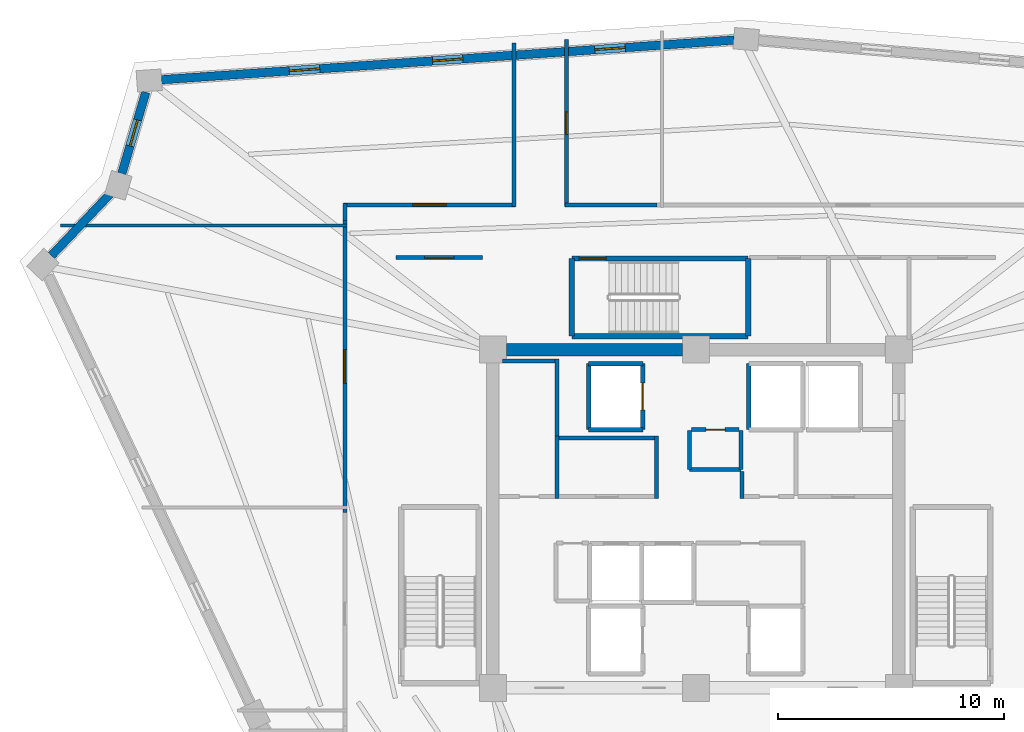
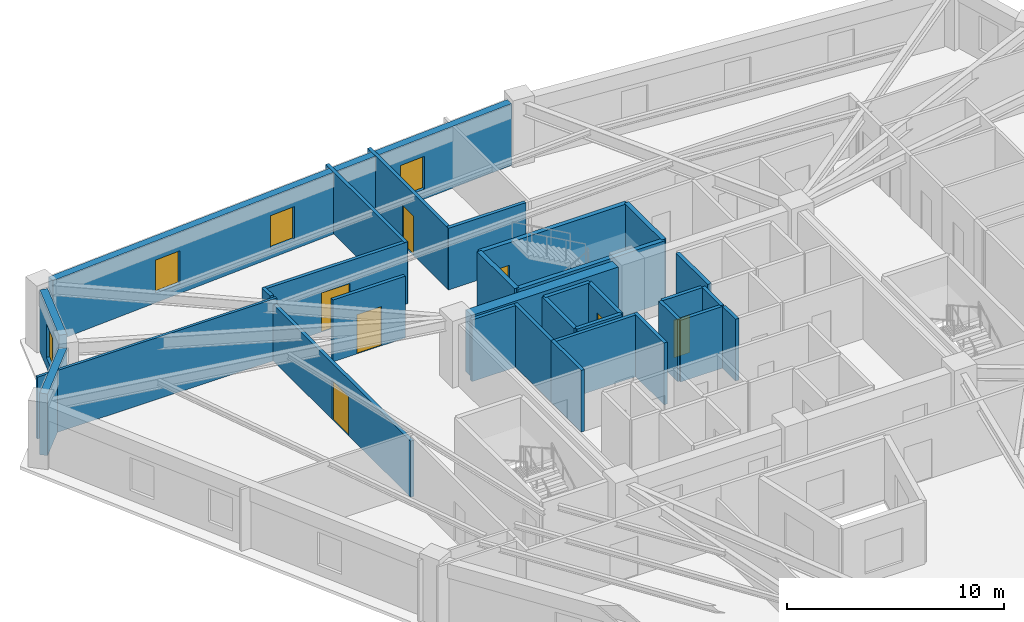
# One storey, part 5 of 8: 31 walls, 7 doors, 4 windows, 11 openings.
"""IFC4 building model written with IfcOpenShell, lengths in metres."""

import ifcopenshell
import ifcopenshell.guid

model = None  # the IFC model being written
_history = None  # IfcOwnerHistory: only IFC2X3 demands one
_inside = {}  # id of a spatial element -> (the spatial element, [elements in it])
_under = {}  # id of a project, library or spatial element -> (it, [spatial elements below it])
_declared = {}  # id of a project -> (the project, [libraries it declares])
_typed = {}  # id of a type object -> (the type object, [elements of that type])
_made_of = {}  # id of a material, layer set ... -> (it, [elements and type objects made of it])


def new_model(schema):
    """Start an empty IFC model of exactly this schema.

    Asked for "IFC4X3", IfcOpenShell would pick the latest addendum, in which some entities
    have other attributes; the version numbers below select the first issue.
    IFC2X3 requires an IfcOwnerHistory on every rooted entity: one is made here for all.
    """
    global model, _history
    if schema == "IFC4X3":
        model = ifcopenshell.file(schema_version=(4, 3, 0, 0))
    else:
        model = ifcopenshell.file(schema=schema)
    _inside.clear()
    _under.clear()
    _declared.clear()
    _typed.clear()
    _made_of.clear()
    _history = None
    if model.schema == "IFC2X3":
        org = make("IfcOrganization", Name="unknown")
        user = make(
            "IfcPersonAndOrganization",
            ThePerson=make("IfcPerson", FamilyName="unknown"),
            TheOrganization=org,
        )
        app = make(
            "IfcApplication",
            ApplicationDeveloper=org,
            Version="unknown",
            ApplicationFullName="unknown",
            ApplicationIdentifier="unknown",
        )
        _history = make(
            "IfcOwnerHistory",
            OwningUser=user,
            OwningApplication=app,
            ChangeAction="ADDED",
            CreationDate=0,
        )
    return model


def make(cls, **values):
    """One entity of the class cls with the attributes given. An attribute that is None is left unset."""
    return model.create_entity(
        cls, **{name: value for name, value in values.items() if value is not None}
    )


def rooted(cls, **values):
    """An entity with a GlobalId (a new one), such as an element, a storey or a relation."""
    return make(cls, GlobalId=ifcopenshell.guid.new(), OwnerHistory=_history, **values)


def si_unit(unit_type, name, prefix=None):
    """IfcSIUnit, for example si_unit("LENGTHUNIT", "METRE", prefix="MILLI")."""
    return make("IfcSIUnit", UnitType=unit_type, Prefix=prefix, Name=name)


def assignment(units):
    """IfcUnitAssignment: the units of a project."""
    return None if units is None else make("IfcUnitAssignment", Units=units)


def point(xyz):
    """IfcCartesianPoint."""
    return None if xyz is None else make("IfcCartesianPoint", Coordinates=xyz)


def direction(xyz):
    """IfcDirection."""
    return None if xyz is None else make("IfcDirection", DirectionRatios=xyz)


def frame(location, z_axis=None, x_axis=None):
    """IfcAxis2Placement3D, a coordinate frame: its origin and axes. An axis left out is left unset."""
    return make(
        "IfcAxis2Placement3D",
        Location=point(location),
        Axis=direction(z_axis),
        RefDirection=direction(x_axis),
    )


def frame_2d(location, x_axis=None):
    """IfcAxis2Placement2D, a coordinate frame in the plane: its origin and x axis."""
    return make(
        "IfcAxis2Placement2D", Location=point(location), RefDirection=direction(x_axis)
    )


def origin():
    """The frame at (0, 0, 0) with its axes left unset."""
    return frame((0.0, 0.0, 0.0))


def place(relative_to, where):
    """IfcLocalPlacement: puts the frame where relative to a parent placement (None: the world)."""
    return make(
        "IfcLocalPlacement", PlacementRelTo=relative_to, RelativePlacement=where
    )


def context(
    kind, dimensions, precision=None, world=None, true_north=None, identifier=None
):
    """IfcGeometricRepresentationContext, for example the 3D "Model" context."""
    return make(
        "IfcGeometricRepresentationContext",
        ContextIdentifier=identifier,
        ContextType=kind,
        CoordinateSpaceDimension=dimensions,
        Precision=precision,
        WorldCoordinateSystem=world,
        TrueNorth=true_north,
    )


def subcontext(parent, identifier, kind, view, scale=None):
    """IfcGeometricRepresentationSubContext, for example "Body" below "Model"."""
    return make(
        "IfcGeometricRepresentationSubContext",
        ContextIdentifier=identifier,
        ContextType=kind,
        ParentContext=parent,
        TargetScale=scale,
        TargetView=view,
    )


def project(units=None, contexts=None):
    """IfcProject with its units and contexts."""
    return rooted(
        "IfcProject",
        Name="project",
        RepresentationContexts=contexts,
        UnitsInContext=assignment(units),
    )


def spatial(cls, under=None, at=None, **own):
    """A site, building, storey or space (cls), placed at a placement, below another one or the project."""
    s = rooted(cls, ObjectPlacement=at, **own)
    if under is not None:
        _under.setdefault(under.id(), (under, []))[1].append(s)
    return s


def profile(cls, at=None, kind="AREA", **sizes):
    """A parametric profile (cls). Its sizes go by their IFC names, for example OverallWidth=200.0."""
    return make(cls, ProfileType=kind, Position=at, **sizes)


def rectangle(**sizes):
    """IfcRectangleProfileDef."""
    return profile("IfcRectangleProfileDef", **sizes)


def extrude(swept, where, along, depth):
    """IfcExtrudedAreaSolid: the profile swept, set in the frame where, extruded along a direction by depth."""
    return make(
        "IfcExtrudedAreaSolid",
        SweptArea=swept,
        Position=where,
        ExtrudedDirection=direction(along),
        Depth=depth,
    )


def shape(context_of_items, identifier, shape_type, items):
    """IfcShapeRepresentation: the items that make up one representation, for example the "Body"."""
    return make(
        "IfcShapeRepresentation",
        ContextOfItems=context_of_items,
        RepresentationIdentifier=identifier,
        RepresentationType=shape_type,
        Items=items,
    )


def source(mapping_origin, context_of_items, identifier, shape_type, items):
    """IfcRepresentationMap: a shape defined once, which mapped items show again and again."""
    return make(
        "IfcRepresentationMap",
        MappingOrigin=mapping_origin,
        MappedRepresentation=shape(context_of_items, identifier, shape_type, items),
    )


def transform(
    local_origin,
    x_axis=None,
    y_axis=None,
    z_axis=None,
    scale=None,
    scale2=None,
    scale3=None,
    uniform=True,
):
    """IfcCartesianTransformationOperator3D, or its non-uniform kind. x_axis, y_axis, z_axis: its Axis1, 2, 3."""
    if uniform:
        return make(
            "IfcCartesianTransformationOperator3D",
            Axis1=direction(x_axis),
            Axis2=direction(y_axis),
            LocalOrigin=point(local_origin),
            Scale=scale,
            Axis3=direction(z_axis),
        )
    return make(
        "IfcCartesianTransformationOperator3DnonUniform",
        Axis1=direction(x_axis),
        Axis2=direction(y_axis),
        LocalOrigin=point(local_origin),
        Scale=scale,
        Axis3=direction(z_axis),
        Scale2=scale2,
        Scale3=scale3,
    )


def mapped(mapping_source, mapping_target):
    """IfcMappedItem: shows the shape of a source again, moved by a transform."""
    return make(
        "IfcMappedItem", MappingSource=mapping_source, MappingTarget=mapping_target
    )


def material(Name=None, Category=None):
    """IfcMaterial."""
    return make("IfcMaterial", Name=Name, Category=Category)


def layer(
    of_material, thickness, ventilated=None, Name=None, Category=None, Priority=None
):
    """IfcMaterialLayer: one layer of a wall or slab, of a material (None: an air gap)."""
    return make(
        "IfcMaterialLayer",
        Material=of_material,
        LayerThickness=thickness,
        IsVentilated=ventilated,
        Name=Name,
        Category=Category,
        Priority=Priority,
    )


def layer_set(layers, Name=None):
    """IfcMaterialLayerSet."""
    return make("IfcMaterialLayerSet", MaterialLayers=layers, LayerSetName=Name)


def made_of(thing, what):
    """Note that an element or type object is made of a material, layer set ...; save() writes the relation."""
    if what is not None:
        _made_of.setdefault(what.id(), (what, []))[1].append(thing)
    return thing


def type_object(cls, material=None, **own):
    """A type object (cls), such as IfcWallType, which elements share."""
    return made_of(rooted(cls, **own), material)


def element(
    cls,
    number,
    at=None,
    inside=None,
    cuts=None,
    type_object=None,
    material=None,
    context=None,
    identifier="Body",
    shape_type=None,
    held_by="IfcProductDefinitionShape",
    body=None,
    shapes=None,
    **own,
):
    """One element of the class cls, such as IfcWall. Its Tag is "e" and its number.

    at: its placement. inside: the storey or other place that contains it. cuts: it is an
    opening in that element (IfcRelVoidsElement). A single representation is given by context,
    identifier, shape_type and body (its items); several are given by shapes. held_by: the class
    of the entity that holds the representations. save() writes the other relations.
    """
    e = rooted(cls, Tag="e%d" % number, ObjectPlacement=at, **own)
    if body is not None:
        shapes = [shape(context, identifier, shape_type, body)]
    if shapes is not None:
        e.Representation = make(held_by, Representations=shapes)
    if inside is not None:
        _inside.setdefault(inside.id(), (inside, []))[1].append(e)
    if cuts is not None:
        rooted(
            "IfcRelVoidsElement", RelatingBuildingElement=cuts, RelatedOpeningElement=e
        )
    if type_object is not None:
        _typed.setdefault(type_object.id(), (type_object, []))[1].append(e)
    return made_of(e, material)


def fill(opening, filler):
    """IfcRelFillsElement: the door or window that sits in an opening."""
    return rooted(
        "IfcRelFillsElement",
        RelatingOpeningElement=opening,
        RelatedBuildingElement=filler,
    )


def aggregate(whole, parts):
    """IfcRelAggregates: a whole, such as a stair, and the parts it consists of."""
    return rooted("IfcRelAggregates", RelatingObject=whole, RelatedObjects=parts)


def save(model, path):
    """Write the relations noted so far, then the file.

    IfcRelAggregates (storeys below a building ...), IfcRelContainedInSpatialStructure (elements
    in a storey), IfcRelDefinesByType, IfcRelAssociatesMaterial and IfcRelDeclares: one each for
    every whole, place, type object, material and project.
    """
    for whole, parts in _under.values():
        aggregate(whole, parts)
    for where, things in _inside.values():
        rooted(
            "IfcRelContainedInSpatialStructure",
            RelatedElements=things,
            RelatingStructure=where,
        )
    for kind, things in _typed.values():
        rooted("IfcRelDefinesByType", RelatedObjects=things, RelatingType=kind)
    for what, things in _made_of.values():
        rooted("IfcRelAssociatesMaterial", RelatedObjects=things, RelatingMaterial=what)
    for by, libraries in _declared.values():
        rooted("IfcRelDeclares", RelatingContext=by, RelatedDefinitions=libraries)
    model.write(path)


model = new_model("IFC4")

# Units and contexts
model_context = context("Model", 3, precision=1e-05, world=origin(), true_north=direction((0.0, 1.0)))
body_context = subcontext(model_context, "Body", "Model", "MODEL_VIEW")
ifc_project = project(units=[si_unit("LENGTHUNIT", "METRE"), si_unit("AREAUNIT", "SQUARE_METRE"), si_unit("VOLUMEUNIT", "CUBIC_METRE"), si_unit("PLANEANGLEUNIT", "RADIAN"), si_unit("MASSUNIT", "GRAM", prefix="KILO")], contexts=[model_context])

# Site, building, storey
site_placement = place(None, origin())
site = spatial("IfcSite", under=ifc_project, at=site_placement, CompositionType="ELEMENT")
building_placement = place(site_placement, origin())
building = spatial("IfcBuilding", under=site, at=building_placement, Name="Liaohun Quay Tower", CompositionType="ELEMENT")
storey_placement = place(building_placement, frame((0.0, 0.0, 347.25)))
storey = spatial("IfcBuildingStorey", under=building, at=storey_placement, Name="L90", CompositionType="ELEMENT", Elevation=347.25)

# Wall
ifc_material_1 = material(Name="Concrete C50", Category="concrete")
ifc_layer_1 = layer(ifc_material_1, 0.550048828125, Name="Concrete C50", Category="concrete")
ifc_layer_set_1 = layer_set([ifc_layer_1], Name="Concrete C50")
wall_type_1 = type_object("IfcWallType", Name="WAL-COR-Z4", PredefinedType="SHEAR", material=ifc_layer_set_1)
wall_1_placement = place(storey_placement, frame((51.60009765625, 61.5, 0.0), z_axis=(0.0, 0.0, 1.0), x_axis=(1.0, 0.0, 0.0)))
element("IfcWall", 1, at=wall_1_placement, inside=storey, type_object=wall_type_1, Name="L90 Central Core Shear Wall N-W", PredefinedType="SHEAR", context=body_context, shape_type="SweptSolid", body=[
    extrude(rectangle(XDim=7.7998046875, YDim=0.550048828125, at=frame_2d((3.89990234375, 0.0))), origin(), (0.0, 0.0, 1.0), 3.469970703125),
])

# Wall, openings, windows
ifc_material_2 = material(Name="Precast concrete C50 insulated sandwich", Category="concrete")
ifc_layer_2 = layer(ifc_material_2, 0.3798828125, Name="Precast concrete C50 insulated sandwich", Category="concrete")
ifc_layer_set_2 = layer_set([ifc_layer_2], Name="Precast concrete C50 insulated sandwich")
wall_type_2 = type_object("IfcWallType", Name="WAL-EXT-Z34", PredefinedType="SOLIDWALL", material=ifc_layer_set_2)
wall_2_placement = place(storey_placement, frame((61.695068359375, 75.22607421875, 0.0), z_axis=(0.0, 0.0, 1.0), x_axis=(-0.997609466084, -0.06910393027, 0.0)))
wall_2 = element("IfcWall", 2, at=wall_2_placement, inside=storey, type_object=wall_type_2, Name="L90 Brutalist Precast Pier Wall 07", PredefinedType="SOLIDWALL", context=body_context, shape_type="SweptSolid", body=[
    extrude(rectangle(XDim=25.454833984375, YDim=0.3798828125, at=frame_2d((12.7275390625, 0.0))), origin(), (0.0, 0.0, 1.0), 3.469970703125),
])
shared_shape_1 = source(origin(), body_context, "Body", "SweptSolid", [
    extrude(rectangle(XDim=1.35009765625, YDim=1.85009765625, at=frame_2d((0.675048828125, 0.925048828125))), frame((0.0, 0.199951171875, 0.0), z_axis=(0.0, -1.0, 0.0), x_axis=(1.0, 0.0, 0.0)), (0.0, 0.0, 1.0), 0.39990234375),
])
opening_1_placement = place(wall_2_placement, frame((4.839111328125, 0.0, 0.550048828125)))
opening_1 = element("IfcOpeningElement", 3, at=opening_1_placement, cuts=wall_2, Name="Opening W04", PredefinedType="OPENING", context=body_context, shape_type="MappedRepresentation", body=[
    mapped(shared_shape_1, transform((0.0, 0.0, 0.0), x_axis=(1.0, 0.0, 0.0), y_axis=(0.0, 1.0, 0.0), z_axis=(0.0, 0.0, 1.0), scale=1.0)),
])
opening_2_placement = place(wall_2_placement, frame((12.052001953125, 0.0, 0.550048828125)))
opening_2 = element("IfcOpeningElement", 4, at=opening_2_placement, cuts=wall_2, Name="Opening W04", PredefinedType="OPENING", context=body_context, shape_type="MappedRepresentation", body=[
    mapped(shared_shape_1, transform((0.0, 0.0, 0.0), x_axis=(1.0, 0.0, 0.0), y_axis=(0.0, 1.0, 0.0), z_axis=(0.0, 0.0, 1.0), scale=1.0)),
])
opening_3_placement = place(wall_2_placement, frame((18.416015625, 0.0, 0.550048828125)))
opening_3 = element("IfcOpeningElement", 5, at=opening_3_placement, cuts=wall_2, Name="Opening W04", PredefinedType="OPENING", context=body_context, shape_type="MappedRepresentation", body=[
    mapped(shared_shape_1, transform((0.0, 0.0, 0.0), x_axis=(1.0, 0.0, 0.0), y_axis=(0.0, 1.0, 0.0), z_axis=(0.0, 0.0, 1.0), scale=1.0)),
])
ifc_material_3 = material(Name="Triple Low-E argon glazing in thermally broken aluminium", Category="aluminium")
window_type_1 = type_object("IfcWindowType", Name="WIN-PUN-Z4", PartitioningType="SINGLE_PANEL", PredefinedType="WINDOW", material=ifc_material_3)
shared_shape_2 = source(origin(), body_context, "Body", "SweptSolid", [
    extrude(rectangle(XDim=1.35009765625, YDim=1.85009765625, at=frame_2d((0.675048828125, 0.925048828125))), frame((0.0, 0.030029296875, 0.0), z_axis=(0.0, -1.0, 0.0), x_axis=(1.0, 0.0, 0.0)), (0.0, 0.0, 1.0), 0.06005859375),
])
window_1_placement = place(opening_1_placement, origin())
window_1 = element("IfcWindow", 6, at=window_1_placement, inside=storey, type_object=window_type_1, Name="L90 Recessed Cold-Climate Punched Window 07-1", OverallHeight=1.85009765625, OverallWidth=1.35009765625, PartitioningType="SINGLE_PANEL", PredefinedType="WINDOW", context=body_context, shape_type="MappedRepresentation", body=[
    mapped(shared_shape_2, transform((0.0, 0.0, 0.0), x_axis=(1.0, 0.0, 0.0), y_axis=(0.0, 1.0, 0.0), z_axis=(0.0, 0.0, 1.0), scale=1.0)),
])
fill(opening_1, window_1)
window_2_placement = place(opening_2_placement, origin())
window_2 = element("IfcWindow", 7, at=window_2_placement, inside=storey, type_object=window_type_1, Name="L90 Recessed Cold-Climate Punched Window 07-2", OverallHeight=1.85009765625, OverallWidth=1.35009765625, PartitioningType="SINGLE_PANEL", PredefinedType="WINDOW", context=body_context, shape_type="MappedRepresentation", body=[
    mapped(shared_shape_2, transform((0.0, 0.0, 0.0), x_axis=(1.0, 0.0, 0.0), y_axis=(0.0, 1.0, 0.0), z_axis=(0.0, 0.0, 1.0), scale=1.0)),
])
fill(opening_2, window_2)
window_3_placement = place(opening_3_placement, origin())
window_3 = element("IfcWindow", 8, at=window_3_placement, inside=storey, type_object=window_type_1, Name="L90 Recessed Cold-Climate Punched Window 07-3", OverallHeight=1.85009765625, OverallWidth=1.35009765625, PartitioningType="SINGLE_PANEL", PredefinedType="WINDOW", context=body_context, shape_type="MappedRepresentation", body=[
    mapped(shared_shape_2, transform((0.0, 0.0, 0.0), x_axis=(1.0, 0.0, 0.0), y_axis=(0.0, 1.0, 0.0), z_axis=(0.0, 0.0, 1.0), scale=1.0)),
])
fill(opening_3, window_3)

# Wall, opening, window
wall_3_placement = place(storey_placement, frame((35.60888671875, 72.912109375, 0.0), z_axis=(0.0, 0.0, 1.0), x_axis=(-0.282457827071, -0.959279717249, 0.0)))
wall_3 = element("IfcWall", 9, at=wall_3_placement, inside=storey, type_object=wall_type_2, Name="L90 Brutalist Precast Pier Wall 08", PredefinedType="SOLIDWALL", context=body_context, shape_type="SweptSolid", body=[
    extrude(rectangle(XDim=3.763427734375, YDim=0.3798828125, at=frame_2d((1.8818359375, 0.0))), origin(), (0.0, 0.0, 1.0), 3.469970703125),
])
shared_shape_3 = source(origin(), body_context, "Body", "SweptSolid", [
    extrude(rectangle(XDim=1.199951171875, YDim=1.89990234375, at=frame_2d((0.60009765625, 0.949951171875))), frame((0.0, 0.199951171875, 0.0), z_axis=(0.0, -1.0, 0.0), x_axis=(1.0, 0.0, 0.0)), (0.0, 0.0, 1.0), 0.39990234375),
])
opening_4_placement = place(wall_3_placement, frame((1.281982421875, 0.0, 0.550048828125)))
opening_4 = element("IfcOpeningElement", 10, at=opening_4_placement, cuts=wall_3, Name="Opening W05", PredefinedType="OPENING", context=body_context, shape_type="MappedRepresentation", body=[
    mapped(shared_shape_3, transform((0.0, 0.0, 0.0), x_axis=(1.0, 0.0, 0.0), y_axis=(0.0, 1.0, 0.0), z_axis=(0.0, 0.0, 1.0), scale=1.0)),
])
ifc_material_4 = material(Name="Triple Low-E corner notch glazing", Category="glass")
window_type_2 = type_object("IfcWindowType", Name="WIN-NOTCH", PartitioningType="SINGLE_PANEL", PredefinedType="WINDOW", material=ifc_material_4)
shared_shape_4 = source(origin(), body_context, "Body", "SweptSolid", [
    extrude(rectangle(XDim=1.199951171875, YDim=1.89990234375, at=frame_2d((0.60009765625, 0.949951171875))), frame((0.0, 0.030029296875, 0.0), z_axis=(0.0, -1.0, 0.0), x_axis=(1.0, 0.0, 0.0)), (0.0, 0.0, 1.0), 0.06005859375),
])
window_4_placement = place(opening_4_placement, origin())
window_4 = element("IfcWindow", 11, at=window_4_placement, inside=storey, type_object=window_type_2, Name="L90 Corner Notch Window W05-08", OverallHeight=1.89990234375, OverallWidth=1.199951171875, PartitioningType="SINGLE_PANEL", PredefinedType="WINDOW", context=body_context, shape_type="MappedRepresentation", body=[
    mapped(shared_shape_4, transform((0.0, 0.0, 0.0), x_axis=(1.0, 0.0, 0.0), y_axis=(0.0, 1.0, 0.0), z_axis=(0.0, 0.0, 1.0), scale=1.0)),
])
fill(opening_4, window_4)

# Wall
wall_4_placement = place(storey_placement, frame((34.02099609375, 68.39306640625, 0.0), z_axis=(0.0, 0.0, 1.0), x_axis=(-0.689516179324, -0.724270279972, 0.0)))
element("IfcWall", 12, at=wall_4_placement, inside=storey, type_object=wall_type_2, Name="L90 Brutalist Precast Pier Wall 09", PredefinedType="SOLIDWALL", context=body_context, shape_type="SweptSolid", body=[
    extrude(rectangle(XDim=3.772216796875, YDim=0.3798828125, at=frame_2d((1.88623046875, 0.0))), origin(), (0.0, 0.0, 1.0), 3.469970703125),
])

# Wall, opening, door
ifc_material_5 = material(Name="Autoclaved aerated concrete blockwork", Category="masonry")
ifc_layer_3 = layer(ifc_material_5, 0.179931640625, Name="Autoclaved aerated concrete blockwork", Category="masonry")
ifc_layer_set_3 = layer_set([ifc_layer_3], Name="Autoclaved aerated concrete blockwork")
wall_type_3 = type_object("IfcWallType", Name="WAL-PRT-COR", PredefinedType="PARTITIONING", material=ifc_layer_set_3)
wall_5_placement = place(storey_placement, frame((59.81005859375, 57.949951171875, 0.0), z_axis=(0.0, 0.0, 1.0), x_axis=(1.0, 0.0, 0.0)))
wall_5 = element("IfcWall", 13, at=wall_5_placement, inside=storey, type_object=wall_type_3, Name="L90 Interior Partition Wall 006", PredefinedType="PARTITIONING", context=body_context, shape_type="SweptSolid", body=[
    extrude(rectangle(XDim=2.10986328125, YDim=0.179931640625, at=frame_2d((1.054931640625, 0.0))), origin(), (0.0, 0.0, 1.0), 3.469970703125),
])
shared_shape_5 = source(origin(), body_context, "Body", "SweptSolid", [
    extrude(rectangle(XDim=0.85009765625, YDim=2.10009765625, at=frame_2d((0.425048828125, 1.050048828125))), frame((0.0, 0.099853515625, 0.0), z_axis=(0.0, -1.0, 0.0), x_axis=(1.0, 0.0, 0.0)), (0.0, 0.0, 1.0), 0.199951171875),
])
opening_5_placement = place(wall_5_placement, frame((0.635009765625, 0.0, 0.0)))
opening_5 = element("IfcOpeningElement", 14, at=opening_5_placement, cuts=wall_5, Name="Opening AD1", PredefinedType="OPENING", context=body_context, shape_type="MappedRepresentation", body=[
    mapped(shared_shape_5, transform((0.0, 0.0, 0.0), x_axis=(1.0, 0.0, 0.0), y_axis=(0.0, 1.0, 0.0), z_axis=(0.0, 0.0, 1.0), scale=1.0)),
])
ifc_material_6 = material(Name="Steel riser inspection fire door", Category="steel")
door_type_1 = type_object("IfcDoorType", Name="DOR-SHF-850", OperationType="NOTDEFINED", PredefinedType="DOOR", material=ifc_material_6)
shared_shape_6 = source(origin(), body_context, "Body", "SweptSolid", [
    extrude(rectangle(XDim=0.85009765625, YDim=2.10009765625, at=frame_2d((0.425048828125, 1.050048828125))), frame((0.0, 0.02490234375, 0.0), z_axis=(0.0, -1.0, 0.0), x_axis=(1.0, 0.0, 0.0)), (0.0, 0.0, 1.0), 0.050048828125),
])
door_1_placement = place(opening_5_placement, origin())
door_1 = element("IfcDoor", 15, at=door_1_placement, inside=storey, type_object=door_type_1, Name="L90 Core Janitor and Cleaner Store Door", OperationType="SINGLE_SWING_LEFT", OverallHeight=2.10009765625, OverallWidth=0.85009765625, PredefinedType="DOOR", context=body_context, shape_type="MappedRepresentation", body=[
    mapped(shared_shape_6, transform((0.0, 0.0, 0.0), x_axis=(1.0, 0.0, 0.0), y_axis=(0.0, 1.0, 0.0), z_axis=(0.0, 0.0, 1.0), scale=1.0)),
])
fill(opening_5, door_1)

wall_6_placement = place(storey_placement, frame((46.699951171875, 65.580078125, 0.0), z_axis=(0.0, 0.0, 1.0), x_axis=(1.0, 0.0, 0.0)))
wall_6 = element("IfcWall", 16, at=wall_6_placement, inside=storey, type_object=wall_type_3, Name="L90 Interior Partition Wall 013", PredefinedType="PARTITIONING", context=body_context, shape_type="SweptSolid", body=[
    extrude(rectangle(XDim=3.840087890625, YDim=0.179931640625, at=frame_2d((1.919921875, 0.0))), origin(), (0.0, 0.0, 1.0), 3.469970703125),
])
shared_shape_7 = source(origin(), body_context, "Body", "SweptSolid", [
    extrude(rectangle(XDim=1.300048828125, YDim=2.199951171875, at=frame_2d((0.64990234375, 1.10009765625))), frame((0.0, 0.099853515625, 0.0), z_axis=(0.0, -1.0, 0.0), x_axis=(1.0, 0.0, 0.0)), (0.0, 0.0, 1.0), 0.199951171875),
])
opening_6_placement = place(wall_6_placement, frame((1.27001953125, 0.0, 0.0)))
opening_6 = element("IfcOpeningElement", 17, at=opening_6_placement, cuts=wall_6, Name="Opening FD1", PredefinedType="OPENING", context=body_context, shape_type="MappedRepresentation", body=[
    mapped(shared_shape_7, transform((0.0, 0.0, 0.0), x_axis=(1.0, 0.0, 0.0), y_axis=(0.0, 1.0, 0.0), z_axis=(0.0, 0.0, 1.0), scale=1.0)),
])
ifc_material_7 = material(Name="Galvanised steel smokeproof fire door", Category="steel")
door_type_2 = type_object("IfcDoorType", Name="DOR-FFL-1300", OperationType="NOTDEFINED", PredefinedType="DOOR", material=ifc_material_7)
shared_shape_8 = source(origin(), body_context, "Body", "SweptSolid", [
    extrude(rectangle(XDim=1.300048828125, YDim=2.199951171875, at=frame_2d((0.64990234375, 1.10009765625))), frame((0.0, 0.02490234375, 0.0), z_axis=(0.0, -1.0, 0.0), x_axis=(1.0, 0.0, 0.0)), (0.0, 0.0, 1.0), 0.050048828125),
])
door_2_placement = place(opening_6_placement, origin())
door_2 = element("IfcDoor", 18, at=door_2_placement, inside=storey, type_object=door_type_2, Name="L90 West Core Vestibule Door", OperationType="SINGLE_SWING_RIGHT", OverallHeight=2.199951171875, OverallWidth=1.300048828125, PredefinedType="DOOR", context=body_context, shape_type="MappedRepresentation", body=[
    mapped(shared_shape_8, transform((0.0, 0.0, 0.0), x_axis=(1.0, 0.0, 0.0), y_axis=(0.0, 1.0, 0.0), z_axis=(0.0, 0.0, 1.0), scale=1.0)),
])
fill(opening_6, door_2)

wall_7_placement = place(storey_placement, frame((54.260009765625, 75.251953125, 0.0), z_axis=(0.0, 0.0, 1.0), x_axis=(0.0, -1.0, 0.0)))
wall_7 = element("IfcWall", 19, at=wall_7_placement, inside=storey, type_object=wall_type_3, Name="L90 Interior Partition Wall 017", PredefinedType="PARTITIONING", context=body_context, shape_type="SweptSolid", body=[
    extrude(rectangle(XDim=7.411865234375, YDim=0.179931640625, at=frame_2d((3.7060546875, 0.0))), origin(), (0.0, 0.0, 1.0), 3.469970703125),
])
shared_shape_9 = source(origin(), body_context, "Body", "SweptSolid", [
    extrude(rectangle(XDim=1.0, YDim=2.199951171875, at=frame_2d((0.5, 1.10009765625))), frame((0.0, 0.099853515625, 0.0), z_axis=(0.0, -1.0, 0.0), x_axis=(1.0, 0.0, 0.0)), (0.0, 0.0, 1.0), 0.199951171875),
])
opening_7_placement = place(wall_7_placement, frame((3.2060546875, 0.0, 0.0)))
opening_7 = element("IfcOpeningElement", 20, at=opening_7_placement, cuts=wall_7, Name="Opening OD1", PredefinedType="OPENING", context=body_context, shape_type="MappedRepresentation", body=[
    mapped(shared_shape_9, transform((0.0, 0.0, 0.0), x_axis=(1.0, 0.0, 0.0), y_axis=(0.0, 1.0, 0.0), z_axis=(0.0, 0.0, 1.0), scale=1.0)),
])
ifc_material_8 = material(Name="Solid-core oak veneer timber leaf in steel frame", Category="steel")
door_type_3 = type_object("IfcDoorType", Name="DOR-OFF-1000", OperationType="NOTDEFINED", PredefinedType="DOOR", material=ifc_material_8)
shared_shape_10 = source(origin(), body_context, "Body", "SweptSolid", [
    extrude(rectangle(XDim=1.0, YDim=2.199951171875, at=frame_2d((0.5, 1.10009765625))), frame((0.0, 0.02490234375, 0.0), z_axis=(0.0, -1.0, 0.0), x_axis=(1.0, 0.0, 0.0)), (0.0, 0.0, 1.0), 0.050048828125),
])
door_3_placement = place(opening_7_placement, origin())
door_3 = element("IfcDoor", 21, at=door_3_placement, inside=storey, type_object=door_type_3, Name="L90 Client Collaboration Lounge 03 Door", OperationType="SINGLE_SWING_RIGHT", OverallHeight=2.199951171875, OverallWidth=1.0, PredefinedType="DOOR", context=body_context, shape_type="MappedRepresentation", body=[
    mapped(shared_shape_10, transform((0.0, 0.0, 0.0), x_axis=(1.0, 0.0, 0.0), y_axis=(0.0, 1.0, 0.0), z_axis=(0.0, 0.0, 1.0), scale=1.0)),
])
fill(opening_7, door_3)

wall_8_placement = place(storey_placement, frame((44.3701171875, 67.909912109375, 0.0), z_axis=(0.0, 0.0, 1.0), x_axis=(1.0, 0.0, 0.0)))
wall_8 = element("IfcWall", 22, at=wall_8_placement, inside=storey, type_object=wall_type_3, Name="L90 Interior Partition Wall 018", PredefinedType="PARTITIONING", context=body_context, shape_type="SweptSolid", body=[
    extrude(rectangle(XDim=7.639892578125, YDim=0.179931640625, at=frame_2d((3.81982421875, 0.0))), origin(), (0.0, 0.0, 1.0), 3.469970703125),
])
shared_shape_11 = source(origin(), body_context, "Body", "SweptSolid", [
    extrude(rectangle(XDim=1.5, YDim=2.199951171875, at=frame_2d((0.75, 1.10009765625))), frame((0.0, 0.099853515625, 0.0), z_axis=(0.0, -1.0, 0.0), x_axis=(1.0, 0.0, 0.0)), (0.0, 0.0, 1.0), 0.199951171875),
])
opening_8_placement = place(wall_8_placement, frame((3.070068359375, 0.0, 0.0)))
opening_8 = element("IfcOpeningElement", 23, at=opening_8_placement, cuts=wall_8, Name="Opening OD2", PredefinedType="OPENING", context=body_context, shape_type="MappedRepresentation", body=[
    mapped(shared_shape_11, transform((0.0, 0.0, 0.0), x_axis=(1.0, 0.0, 0.0), y_axis=(0.0, 1.0, 0.0), z_axis=(0.0, 0.0, 1.0), scale=1.0)),
])
ifc_material_9 = material(Name="Acoustic oak veneer double door")
door_type_4 = type_object("IfcDoorType", Name="DOR-OFF-1500", OperationType="DOUBLE_DOOR_SINGLE_SWING", PredefinedType="DOOR", material=ifc_material_9)
shared_shape_12 = source(origin(), body_context, "Body", "SweptSolid", [
    extrude(rectangle(XDim=1.5, YDim=2.199951171875, at=frame_2d((0.75, 1.10009765625))), frame((0.0, 0.02490234375, 0.0), z_axis=(0.0, -1.0, 0.0), x_axis=(1.0, 0.0, 0.0)), (0.0, 0.0, 1.0), 0.050048828125),
])
door_4_placement = place(opening_8_placement, origin())
door_4 = element("IfcDoor", 24, at=door_4_placement, inside=storey, type_object=door_type_4, Name="L90 Project Collaboration Studio 04 Door", OperationType="DOUBLE_DOOR_SINGLE_SWING", OverallHeight=2.199951171875, OverallWidth=1.5, PredefinedType="DOOR", context=body_context, shape_type="MappedRepresentation", body=[
    mapped(shared_shape_12, transform((0.0, 0.0, 0.0), x_axis=(1.0, 0.0, 0.0), y_axis=(0.0, 1.0, 0.0), z_axis=(0.0, 0.0, 1.0), scale=1.0)),
])
fill(opening_8, door_4)

wall_9_placement = place(storey_placement, frame((44.43994140625, 54.284912109375, 0.0), z_axis=(0.0, 0.0, 1.0), x_axis=(0.0, 1.0, 0.0)))
wall_9 = element("IfcWall", 25, at=wall_9_placement, inside=storey, type_object=wall_type_3, Name="L90 Interior Partition Wall 019", PredefinedType="PARTITIONING", context=body_context, shape_type="SweptSolid", body=[
    extrude(rectangle(XDim=12.93017578125, YDim=0.179931640625, at=frame_2d((6.465087890625, 0.0))), origin(), (0.0, 0.0, 1.0), 3.160888671875),
])
opening_9_placement = place(wall_9_placement, frame((5.715087890625, 0.0, 0.0)))
opening_9 = element("IfcOpeningElement", 26, at=opening_9_placement, cuts=wall_9, Name="Opening OD2", PredefinedType="OPENING", context=body_context, shape_type="MappedRepresentation", body=[
    mapped(shared_shape_11, transform((0.0, 0.0, 0.0), x_axis=(1.0, 0.0, 0.0), y_axis=(0.0, 1.0, 0.0), z_axis=(0.0, 0.0, 1.0), scale=1.0)),
])
door_5_placement = place(opening_9_placement, origin())
door_5 = element("IfcDoor", 27, at=door_5_placement, inside=storey, type_object=door_type_4, Name="L90 Corporate Exhibition Gallery 05 Door", OperationType="DOUBLE_DOOR_SINGLE_SWING", OverallHeight=2.199951171875, OverallWidth=1.5, PredefinedType="DOOR", context=body_context, shape_type="MappedRepresentation", body=[
    mapped(shared_shape_12, transform((0.0, 0.0, 0.0), x_axis=(1.0, 0.0, 0.0), y_axis=(0.0, 1.0, 0.0), z_axis=(0.0, 0.0, 1.0), scale=1.0)),
])
fill(opening_9, door_5)

# Walls
for number, where, z_axis, x_axis, name in (
    (28, (59.719970703125, 56.179931640625, 0.0), (0.0, 0.0, 1.0), (0.0, 1.0, 0.0), "L90 Interior Partition Wall 027"),
    (29, (62.010009765625, 56.179931640625, 0.0), (0.0, 0.0, 1.0), (0.0, 1.0, 0.0), "L90 Interior Partition Wall 028"),
):
    element("IfcWall", number, at=place(storey_placement, frame(where, z_axis=z_axis, x_axis=x_axis)), inside=storey, type_object=wall_type_3, Name=name, PredefinedType="PARTITIONING", context=body_context, shape_type="SweptSolid", body=[
        extrude(rectangle(XDim=1.739990234375, YDim=0.179931640625, at=frame_2d((0.8701171875, 0.0))), origin(), (0.0, 0.0, 1.0), 3.469970703125),
    ])
wall_10_placement = place(storey_placement, frame((59.719970703125, 56.179931640625, 0.0), z_axis=(0.0, 0.0, 1.0), x_axis=(1.0, 0.0, 0.0)))
element("IfcWall", 30, at=wall_10_placement, inside=storey, type_object=wall_type_3, Name="L90 Interior Partition Wall 029", PredefinedType="PARTITIONING", context=body_context, shape_type="SweptSolid", body=[
    extrude(rectangle(XDim=2.2900390625, YDim=0.179931640625, at=frame_2d((1.14501953125, 0.0))), origin(), (0.0, 0.0, 1.0), 3.469970703125),
])
wall_11_placement = place(storey_placement, frame((54.18994140625, 67.909912109375, 0.0), z_axis=(0.0, 0.0, 1.0), x_axis=(1.0, 0.0, 0.0)))
element("IfcWall", 31, at=wall_11_placement, inside=storey, type_object=wall_type_3, Name="L90 Interior Partition Wall 041", PredefinedType="PARTITIONING", context=body_context, shape_type="SweptSolid", body=[
    extrude(rectangle(XDim=4.094970703125, YDim=0.179931640625, at=frame_2d((2.04736328125, 0.0))), origin(), (0.0, 0.0, 1.0), 3.469970703125),
])
wall_12_placement = place(storey_placement, frame((51.93994140625, 67.840087890625, 0.0), z_axis=(0.0, 0.0, 1.0), x_axis=(0.0, 1.0, 0.0)))
element("IfcWall", 32, at=wall_12_placement, inside=storey, type_object=wall_type_3, Name="L90 Interior Partition Wall 042", PredefinedType="PARTITIONING", context=body_context, shape_type="SweptSolid", body=[
    extrude(rectangle(XDim=7.2509765625, YDim=0.179931640625, at=frame_2d((3.62548828125, 0.0))), origin(), (0.0, 0.0, 1.0), 3.469970703125),
])
wall_13_placement = place(storey_placement, frame((44.43994140625, 67.215087890625, 0.0), z_axis=(0.0, 0.0, 1.0), x_axis=(0.0, 1.0, 0.0)))
element("IfcWall", 33, at=wall_13_placement, inside=storey, type_object=wall_type_3, Name="L90 Interior Partition Wall 043", PredefinedType="PARTITIONING", context=body_context, shape_type="SweptSolid", body=[
    extrude(rectangle(XDim=0.764892578125, YDim=0.179931640625, at=frame_2d((0.38232421875, 0.0))), origin(), (0.0, 0.0, 1.0), 3.469970703125),
])
for number, where, z_axis, x_axis, name in (
    (34, (53.85009765625, 54.889892578125, 0.0), (0.0, 0.0, 1.0), (0.0, 1.0, 0.0), "L90 Interior Partition Wall 060"),
    (35, (58.25, 54.889892578125, 0.0), (0.0, 0.0, 1.0), (0.0, 1.0, 0.0), "L90 Interior Partition Wall 061"),
):
    element("IfcWall", number, at=place(storey_placement, frame(where, z_axis=z_axis, x_axis=x_axis)), inside=storey, type_object=wall_type_3, Name=name, PredefinedType="PARTITIONING", context=body_context, shape_type="SweptSolid", body=[
        extrude(rectangle(XDim=2.780029296875, YDim=0.179931640625, at=frame_2d((1.39013671875, 0.0))), origin(), (0.0, 0.0, 1.0), 3.469970703125),
    ])
wall_14_placement = place(storey_placement, frame((53.93994140625, 57.580078125, 0.0), z_axis=(0.0, 0.0, 1.0), x_axis=(1.0, 0.0, 0.0)))
element("IfcWall", 36, at=wall_14_placement, inside=storey, type_object=wall_type_3, Name="L90 Interior Partition Wall 062", PredefinedType="PARTITIONING", context=body_context, shape_type="SweptSolid", body=[
    extrude(rectangle(XDim=4.219970703125, YDim=0.179931640625, at=frame_2d((2.10986328125, 0.0))), origin(), (0.0, 0.0, 1.0), 3.469970703125),
])
wall_15_placement = place(storey_placement, frame((53.85009765625, 57.669921875, 0.0), z_axis=(0.0, 0.0, 1.0), x_axis=(0.0, 1.0, 0.0)))
element("IfcWall", 37, at=wall_15_placement, inside=storey, type_object=wall_type_3, Name="L90 Interior Partition Wall 063", PredefinedType="PARTITIONING", context=body_context, shape_type="SweptSolid", body=[
    extrude(rectangle(XDim=3.420166015625, YDim=0.179931640625, at=frame_2d((1.7099609375, 0.0))), origin(), (0.0, 0.0, 1.0), 3.469970703125),
])
wall_16_placement = place(storey_placement, frame((51.43701171875, 61.0, 0.0), z_axis=(0.0, 0.0, 1.0), x_axis=(1.0, 0.0, 0.0)))
element("IfcWall", 38, at=wall_16_placement, inside=storey, type_object=wall_type_3, Name="L90 Interior Partition Wall 064", PredefinedType="PARTITIONING", context=body_context, shape_type="SweptSolid", body=[
    extrude(rectangle(XDim=2.322998046875, YDim=0.179931640625, at=frame_2d((1.16162109375, 0.0))), origin(), (0.0, 0.0, 1.0), 3.469970703125),
])
wall_17_placement = place(storey_placement, frame((62.050048828125, 54.889892578125, 0.0), z_axis=(0.0, 0.0, 1.0), x_axis=(0.0, 1.0, 0.0)))
element("IfcWall", 39, at=wall_17_placement, inside=storey, type_object=wall_type_3, Name="L90 Interior Partition Wall 065", PredefinedType="PARTITIONING", context=body_context, shape_type="SweptSolid", body=[
    extrude(rectangle(XDim=1.2001953125, YDim=0.179931640625, at=frame_2d((0.60009765625, 0.0))), origin(), (0.0, 0.0, 1.0), 3.469970703125),
])
ifc_material_10 = material(Name="Gypsum board on twin steel studs", Category="steel")
ifc_layer_4 = layer(ifc_material_10, 0.139892578125, Name="Gypsum board on twin steel studs", Category="steel")
ifc_layer_set_4 = layer_set([ifc_layer_4], Name="Gypsum board on twin steel studs")
wall_type_4 = type_object("IfcWallType", Name="WAL-PRT-OFF", PredefinedType="PARTITIONING", material=ifc_layer_set_4)
wall_18_placement = place(storey_placement, frame((44.5400390625, 67.0, 0.0), z_axis=(0.0, 0.0, 1.0), x_axis=(-1.0, 0.0, 0.0)))
element("IfcWall", 40, at=wall_18_placement, inside=storey, type_object=wall_type_4, Name="L90 Interior Partition Wall 051", PredefinedType="PARTITIONING", context=body_context, shape_type="SweptSolid", body=[
    extrude(rectangle(XDim=12.715087890625, YDim=0.139892578125, at=frame_2d((6.357421875, 0.0))), origin(), (0.0, 0.0, 1.0), 3.469970703125),
])
ifc_layer_5 = layer(ifc_material_1, 0.239990234375, Name="Concrete C50", Category="concrete")
ifc_layer_set_5 = layer_set([ifc_layer_5], Name="Concrete C50")
wall_type_5 = type_object("IfcWallType", Name="WAL-SHF-200", PredefinedType="SOLIDWALL", material=ifc_layer_set_5)
wall_19_placement = place(storey_placement, frame((54.5, 62.10009765625, 0.0), z_axis=(0.0, 0.0, 1.0), x_axis=(1.0, 0.0, 0.0)))
element("IfcWall", 41, at=wall_19_placement, inside=storey, type_object=wall_type_5, Name="L90 Stairwell ST-3 Structural Core Wall S", PredefinedType="SOLIDWALL", context=body_context, shape_type="SweptSolid", body=[
    extrude(rectangle(XDim=7.820068359375, YDim=0.239990234375, at=frame_2d((3.91015625, 0.0))), origin(), (0.0, 0.0, 1.0), 3.469970703125),
])
wall_20_placement = place(storey_placement, frame((62.320068359375, 62.10009765625, 0.0), z_axis=(0.0, 0.0, 1.0), x_axis=(0.0, 1.0, 0.0)))
element("IfcWall", 42, at=wall_20_placement, inside=storey, type_object=wall_type_5, Name="L90 Stairwell ST-3 Structural Core Wall E", PredefinedType="SOLIDWALL", context=body_context, shape_type="SweptSolid", body=[
    extrude(rectangle(XDim=3.43994140625, YDim=0.239990234375, at=frame_2d((1.719970703125, 0.0))), origin(), (0.0, 0.0, 1.0), 3.469970703125),
])

# Wall, opening, door
wall_21_placement = place(storey_placement, frame((62.320068359375, 65.5400390625, 0.0), z_axis=(0.0, 0.0, 1.0), x_axis=(-1.0, 0.0, 0.0)))
wall_21 = element("IfcWall", 43, at=wall_21_placement, inside=storey, type_object=wall_type_5, Name="L90 Stairwell ST-3 Structural Core Wall N", PredefinedType="SOLIDWALL", context=body_context, shape_type="SweptSolid", body=[
    extrude(rectangle(XDim=7.820068359375, YDim=0.239990234375, at=frame_2d((3.91015625, 0.0))), origin(), (0.0, 0.0, 1.0), 3.469970703125),
])
shared_shape_13 = source(origin(), body_context, "Body", "SweptSolid", [
    extrude(rectangle(XDim=1.199951171875, YDim=2.199951171875, at=frame_2d((0.60009765625, 1.10009765625))), frame((0.0, 0.1298828125, 0.0), z_axis=(0.0, -1.0, 0.0), x_axis=(1.0, 0.0, 0.0)), (0.0, 0.0, 1.0), 0.260009765625),
])
opening_10_placement = place(wall_21_placement, frame((6.300048828125, 0.0, 0.0)))
opening_10 = element("IfcOpeningElement", 44, at=opening_10_placement, cuts=wall_21, Name="Opening SD1", PredefinedType="OPENING", context=body_context, shape_type="MappedRepresentation", body=[
    mapped(shared_shape_13, transform((0.0, 0.0, 0.0), x_axis=(1.0, 0.0, 0.0), y_axis=(0.0, 1.0, 0.0), z_axis=(0.0, 0.0, 1.0), scale=1.0)),
])
ifc_material_11 = material(Name="Galvanised steel fire door", Category="steel")
door_type_5 = type_object("IfcDoorType", Name="DOR-STR-1200", OperationType="NOTDEFINED", PredefinedType="DOOR", material=ifc_material_11)
shared_shape_14 = source(origin(), body_context, "Body", "SweptSolid", [
    extrude(rectangle(XDim=1.199951171875, YDim=2.199951171875, at=frame_2d((0.60009765625, 1.10009765625))), frame((0.0, 0.02490234375, 0.0), z_axis=(0.0, -1.0, 0.0), x_axis=(1.0, 0.0, 0.0)), (0.0, 0.0, 1.0), 0.050048828125),
])
door_6_placement = place(opening_10_placement, origin())
door_6 = element("IfcDoor", 45, at=door_6_placement, inside=storey, type_object=door_type_5, Name="L90 Protected Stair ST-3 Fire Door", OperationType="SINGLE_SWING_RIGHT", OverallHeight=2.199951171875, OverallWidth=1.199951171875, PredefinedType="DOOR", context=body_context, shape_type="MappedRepresentation", body=[
    mapped(shared_shape_14, transform((0.0, 0.0, 0.0), x_axis=(1.0, 0.0, 0.0), y_axis=(0.0, 1.0, 0.0), z_axis=(0.0, 0.0, 1.0), scale=1.0)),
])
fill(opening_10, door_6)

# Walls
wall_22_placement = place(storey_placement, frame((54.5, 65.5400390625, 0.0), z_axis=(0.0, 0.0, 1.0), x_axis=(0.0, -1.0, 0.0)))
element("IfcWall", 46, at=wall_22_placement, inside=storey, type_object=wall_type_5, Name="L90 Stairwell ST-3 Structural Core Wall W", PredefinedType="SOLIDWALL", context=body_context, shape_type="SweptSolid", body=[
    extrude(rectangle(XDim=3.43994140625, YDim=0.239990234375, at=frame_2d((1.719970703125, 0.0))), origin(), (0.0, 0.0, 1.0), 3.469970703125),
])
wall_23_placement = place(storey_placement, frame((55.25, 57.949951171875, 0.0), z_axis=(0.0, 0.0, 1.0), x_axis=(1.0, 0.0, 0.0)))
element("IfcWall", 47, at=wall_23_placement, inside=storey, type_object=wall_type_5, Name="L90 Lift FF-03 Hoistway Wall S", PredefinedType="SOLIDWALL", context=body_context, shape_type="SweptSolid", body=[
    extrude(rectangle(XDim=2.39990234375, YDim=0.199951171875, at=frame_2d((1.199951171875, 0.0))), origin(), (0.0, 0.0, 1.0), 3.469970703125),
])

# Wall, opening, door
wall_24_placement = place(storey_placement, frame((57.64990234375, 57.949951171875, 0.0), z_axis=(0.0, 0.0, 1.0), x_axis=(0.0, 1.0, 0.0)))
wall_24 = element("IfcWall", 48, at=wall_24_placement, inside=storey, type_object=wall_type_5, Name="L90 Lift FF-03 Hoistway Wall E", PredefinedType="SOLIDWALL", context=body_context, shape_type="SweptSolid", body=[
    extrude(rectangle(XDim=2.929931640625, YDim=0.199951171875, at=frame_2d((1.46484375, 0.0))), origin(), (0.0, 0.0, 1.0), 3.469970703125),
])
shared_shape_15 = source(origin(), body_context, "Body", "SweptSolid", [
    extrude(rectangle(XDim=1.199951171875, YDim=2.300048828125, at=frame_2d((0.60009765625, 1.14990234375))), frame((0.0, 0.10986328125, 0.0), z_axis=(0.0, -1.0, 0.0), x_axis=(1.0, 0.0, 0.0)), (0.0, 0.0, 1.0), 0.219970703125),
])
opening_11_placement = place(wall_24_placement, frame((0.864990234375, 0.0, 0.0)))
opening_11 = element("IfcOpeningElement", 49, at=opening_11_placement, cuts=wall_24, Name="Opening LD2", PredefinedType="OPENING", context=body_context, shape_type="MappedRepresentation", body=[
    mapped(shared_shape_15, transform((0.0, 0.0, 0.0), x_axis=(1.0, 0.0, 0.0), y_axis=(0.0, 1.0, 0.0), z_axis=(0.0, 0.0, 1.0), scale=1.0)),
])
ifc_material_12 = material(Name="Brushed stainless steel stretcher landing door", Category="steel")
door_type_6 = type_object("IfcDoorType", Name="DOR-LFT-1200", OperationType="SLIDING_TO_LEFT", PredefinedType="DOOR", material=ifc_material_12)
shared_shape_16 = source(origin(), body_context, "Body", "SweptSolid", [
    extrude(rectangle(XDim=1.199951171875, YDim=2.300048828125, at=frame_2d((0.60009765625, 1.14990234375))), frame((0.0, 0.02490234375, 0.0), z_axis=(0.0, -1.0, 0.0), x_axis=(1.0, 0.0, 0.0)), (0.0, 0.0, 1.0), 0.050048828125),
])
door_7_placement = place(opening_11_placement, origin())
door_7 = element("IfcDoor", 50, at=door_7_placement, inside=storey, type_object=door_type_6, Name="L90 Lift FF-03 Sliding Landing Door", OperationType="SLIDING_TO_LEFT", OverallHeight=2.300048828125, OverallWidth=1.199951171875, PredefinedType="DOOR", context=body_context, shape_type="MappedRepresentation", body=[
    mapped(shared_shape_16, transform((0.0, 0.0, 0.0), x_axis=(1.0, 0.0, 0.0), y_axis=(0.0, 1.0, 0.0), z_axis=(0.0, 0.0, 1.0), scale=1.0)),
])
fill(opening_11, door_7)

# Walls
wall_25_placement = place(storey_placement, frame((57.64990234375, 60.8798828125, 0.0), z_axis=(0.0, 0.0, 1.0), x_axis=(-1.0, 0.0, 0.0)))
element("IfcWall", 51, at=wall_25_placement, inside=storey, type_object=wall_type_5, Name="L90 Lift FF-03 Hoistway Wall N", PredefinedType="SOLIDWALL", context=body_context, shape_type="SweptSolid", body=[
    extrude(rectangle(XDim=2.39990234375, YDim=0.199951171875, at=frame_2d((1.199951171875, 0.0))), origin(), (0.0, 0.0, 1.0), 3.469970703125),
])
for number, where, z_axis, x_axis, name in (
    (52, (55.25, 60.8798828125, 0.0), (0.0, 0.0, 1.0), (0.0, -1.0, 0.0), "L90 Lift FF-03 Hoistway Wall W"),
    (53, (62.35009765625, 60.8798828125, 0.0), (0.0, 0.0, 1.0), (0.0, -1.0, 0.0), "L90 Lift OB-01 Hoistway Wall W"),
):
    element("IfcWall", number, at=place(storey_placement, frame(where, z_axis=z_axis, x_axis=x_axis)), inside=storey, type_object=wall_type_5, Name=name, PredefinedType="SOLIDWALL", context=body_context, shape_type="SweptSolid", body=[
        extrude(rectangle(XDim=2.929931640625, YDim=0.199951171875, at=frame_2d((1.46484375, 0.0))), origin(), (0.0, 0.0, 1.0), 3.469970703125),
    ])

save(model, "model.ifc")
